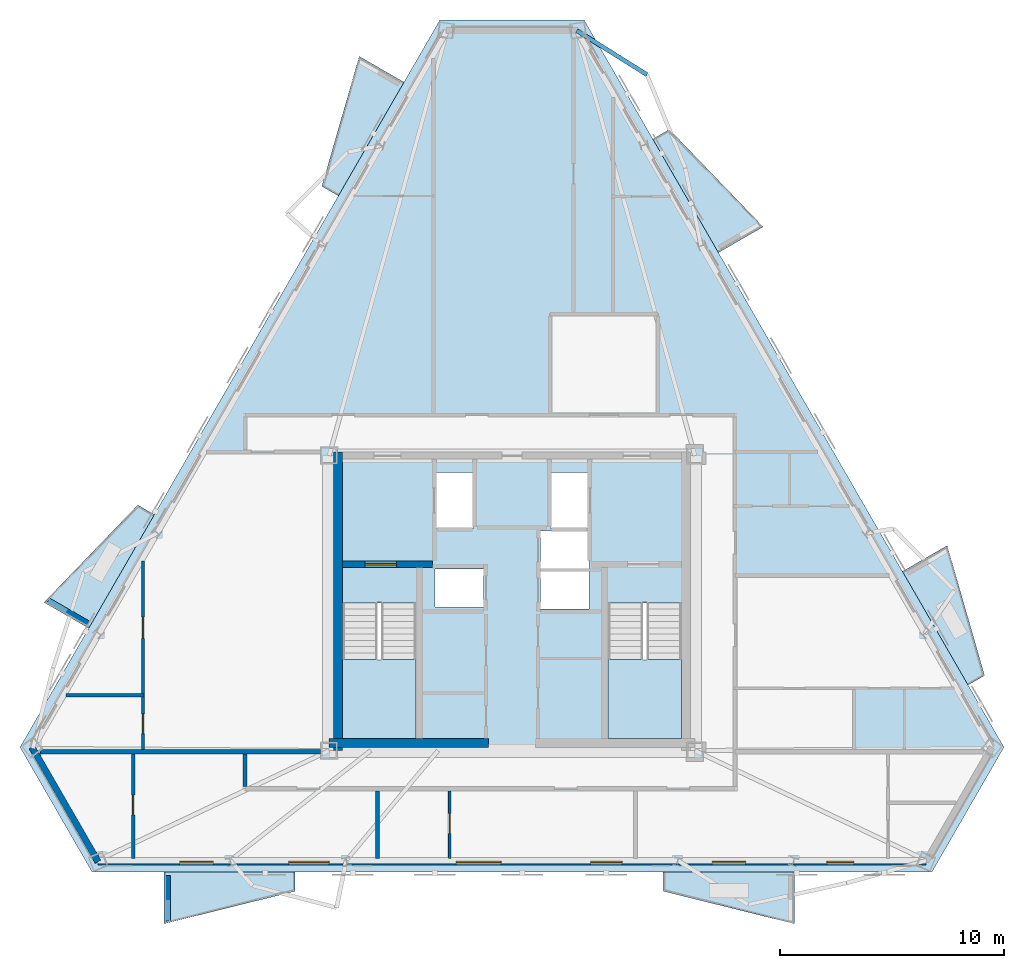
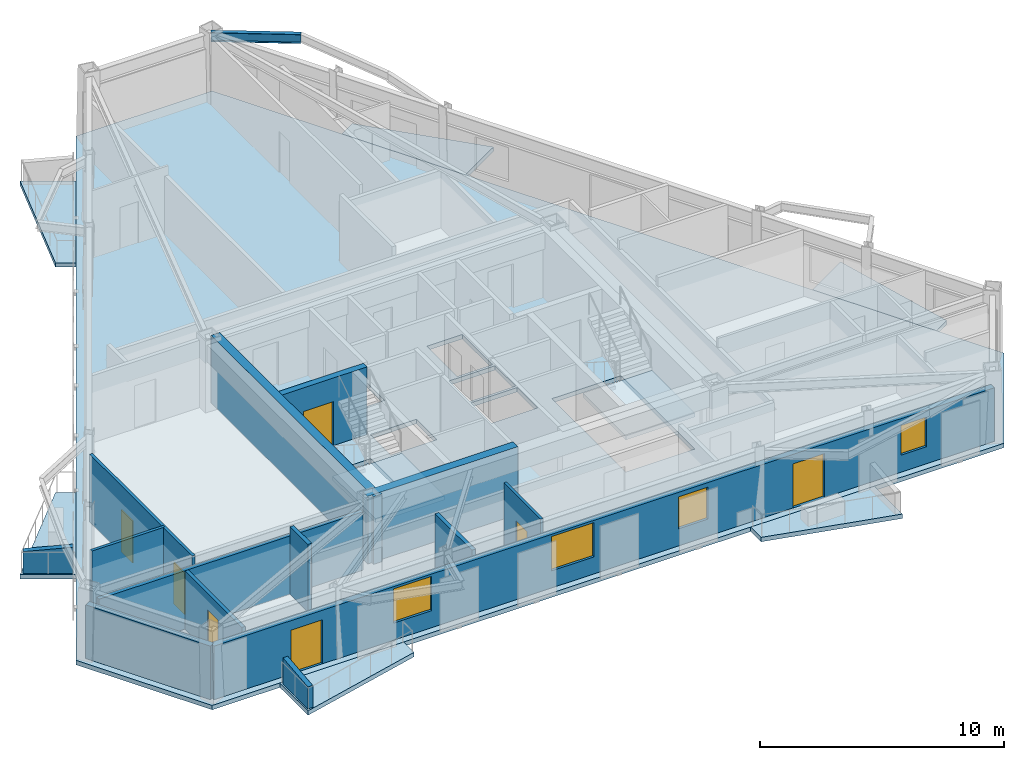
# One storey, part 2 of 9: 14 walls, 9 slabs, 7 doors, 4 windows, 1 beam, 11 openings, 2 elements without a shape of their own.
"""IFC4 building model written with IfcOpenShell, lengths in metres."""

from ifc_helpers import new_model, si_unit, direction, frame, frame_2d, origin, origin_2d, place, context, subcontext, project, spatial, polyline, rectangle, i_section, outline, extrude, material, layer, layer_set, material_profile, profile_set, type_object, element, fill, aggregate, save


model = new_model("IFC4")

# Units and contexts
model_context = context("Model", 3, precision=1e-05, world=origin(), true_north=direction((0.0, 1.0)))
body_context = subcontext(model_context, "Body", "Model", "MODEL_VIEW")
ifc_project = project(units=[si_unit("LENGTHUNIT", "METRE"), si_unit("AREAUNIT", "SQUARE_METRE"), si_unit("VOLUMEUNIT", "CUBIC_METRE"), si_unit("PLANEANGLEUNIT", "RADIAN"), si_unit("MASSUNIT", "GRAM", prefix="KILO")], contexts=[model_context])

# Site, building, storey
site_placement = place(None, origin())
site = spatial("IfcSite", under=ifc_project, at=site_placement, CompositionType="ELEMENT")
building_placement = place(site_placement, origin())
building = spatial("IfcBuilding", under=site, at=building_placement, Name="Oramaril Tower", CompositionType="ELEMENT")
storey_placement = place(building_placement, frame((0.0, 0.0, 237.89990234375)))
storey = spatial("IfcBuildingStorey", under=building, at=storey_placement, Name="L63", CompositionType="ELEMENT", Elevation=237.89990234375)

# Beam
ifc_material_1 = material(Name="Steel ASTM A572 Gr 50", Category="steel")
ifc_material_profile = material_profile(ifc_material_1, i_section(OverallWidth=0.19091796875, OverallDepth=0.45703125, WebThickness=0.009033203125, FlangeThickness=0.014404296875, at=origin_2d()), Name="W18X50")
ifc_profile_set = profile_set([ifc_material_profile], Name="Steel ASTM A572 Gr 50")
beam_type = type_object("IfcBeamType", Name="BT-BB1", PredefinedType="BEAM", material=ifc_profile_set)
beam_placement = place(storey_placement, frame((40.3818359375, 43.09765625, 3.151611328125), z_axis=(0.846798752878, -0.531913406604, 0.0), x_axis=(0.531913406604, 0.846798752878, 0.0)))
element("IfcBeam", 1, at=beam_placement, inside=storey, type_object=beam_type, Name="L63 Balcony Column-Framed Cantilever 04.2", PredefinedType="BEAM", context=body_context, shape_type="SweptSolid", body=[
    extrude(i_section(OverallWidth=0.19091796875, OverallDepth=0.45703125, WebThickness=0.009033203125, FlangeThickness=0.014404296875, at=origin_2d()), origin(), (0.0, 0.0, 1.0), 3.699951171875),
])

# Slabs
ifc_material_2 = material(Name="Concrete C40/50", Category="concrete")
ifc_layer_1 = layer(ifc_material_2, 0.199951171875)
ifc_layer_set_1 = layer_set([ifc_layer_1], Name="SLT-BAL20")
slab_type_1 = type_object("IfcSlabType", Name="SLT-BAL20", PredefinedType="FLOOR", material=ifc_layer_set_1)
slab_1_placement = place(storey_placement, frame((0.0, 0.0, -0.219970703125)))
element("IfcSlab", 2, at=slab_1_placement, inside=storey, type_object=slab_type_1, Name="L63 Cantilevered Balcony Slab L63-BAL-S1", PredefinedType="FLOOR", context=body_context, shape_type="SweptSolid", body=[
    extrude(outline(polyline([(21.984619140625, 5.584228515625), (27.83447265625, 5.584228515625), (27.83447265625, 4.732177734375), (21.984619140625, 3.2822265625), (21.984619140625, 5.584228515625)])), origin(), (0.0, 0.0, 1.0), 0.219970703125),
])
slab_2_placement = place(storey_placement, frame((0.0, 0.0, -0.219970703125)))
element("IfcSlab", 3, at=slab_2_placement, inside=storey, type_object=slab_type_1, Name="L63 Cantilevered Balcony Slab L63-BAL-NE2", PredefinedType="FLOOR", context=body_context, shape_type="SweptSolid", body=[
    extrude(outline(polyline([(46.70068359375, 33.1953125), (43.77587890625, 38.26171875), (44.513671875, 38.6875), (48.6943359375, 34.346435546875), (46.70068359375, 33.1953125)])), origin(), (0.0, 0.0, 1.0), 0.219970703125),
])
slab_3_placement = place(storey_placement, frame((0.0, 0.0, -0.219970703125)))
element("IfcSlab", 4, at=slab_3_placement, inside=storey, type_object=slab_type_1, Name="L63 Cantilevered Balcony Slab L63-BAL-NW1", PredefinedType="FLOOR", context=body_context, shape_type="SweptSolid", body=[
    extrude(outline(polyline([(32.686767578125, 40.794677734375), (29.76171875, 35.728515625), (29.02392578125, 36.154541015625), (30.693115234375, 41.94580078125), (32.686767578125, 40.794677734375)])), origin(), (0.0, 0.0, 1.0), 0.219970703125),
])
ifc_material_3 = material(Name="Concrete C50/60", Category="concrete")
ifc_layer_2 = layer(ifc_material_3, 0.219970703125)
ifc_layer_set_2 = layer_set([ifc_layer_2], Name="SLT-FLR22")
slab_type_2 = type_object("IfcSlabType", Name="SLT-FLR22", PredefinedType="FLOOR", material=ifc_layer_set_2)
slab_4_placement = place(storey_placement, frame((0.0, 0.0, -0.219970703125)))
element("IfcSlab", 5, at=slab_4_placement, inside=storey, type_object=slab_type_2, Name="L63 Structural Floor Slab", PredefinedType="FLOOR", context=body_context, shape_type="SweptSolid", body=[
    extrude(outline(polyline([(15.5693359375, 11.15087890625), (18.784423828125, 5.582275390625), (56.215576171875, 5.582275390625), (59.4306640625, 11.15087890625), (40.715087890625, 43.56689453125), (34.284912109375, 43.56689453125), (15.5693359375, 11.15087890625)]), holes=[polyline([(29.949951171875, 17.58935546875), (29.949951171875, 11.550048828125), (33.219970703125, 11.550048828125), (33.219970703125, 17.58935546875), (29.949951171875, 17.58935546875)]), polyline([(41.780029296875, 17.58935546875), (41.780029296875, 11.550048828125), (45.050048828125, 11.550048828125), (45.050048828125, 17.58935546875), (41.780029296875, 17.58935546875)]), polyline([(34.110107421875, 20.909912109375), (35.7900390625, 20.909912109375), (35.7900390625, 23.389892578125), (34.110107421875, 23.389892578125), (34.110107421875, 20.909912109375)]), polyline([(39.2099609375, 20.909912109375), (40.889892578125, 20.909912109375), (40.889892578125, 23.389892578125), (39.2099609375, 23.389892578125), (39.2099609375, 20.909912109375)]), polyline([(34.06005859375, 17.409912109375), (36.239990234375, 17.409912109375), (36.239990234375, 19.090087890625), (34.06005859375, 19.090087890625), (34.06005859375, 17.409912109375)]), polyline([(38.760009765625, 17.31005859375), (40.93994140625, 17.31005859375), (40.93994140625, 18.989990234375), (38.760009765625, 18.989990234375), (38.760009765625, 17.31005859375)]), polyline([(38.760009765625, 19.110107421875), (40.93994140625, 19.110107421875), (40.93994140625, 20.7900390625), (38.760009765625, 20.7900390625), (38.760009765625, 19.110107421875)])]), origin(), (0.0, 0.0, 1.0), 0.219970703125),
])

# Stair, slab
ifc_material_4 = material(Name="Concrete C50/60", Category="concrete")
stair_type = type_object("IfcStairType", Name="STT-DG-3600", PredefinedType="HALF_TURN_STAIR", material=ifc_material_4)
stair_1_placement = place(storey_placement, origin())
stair_1 = element("IfcStair", 6, at=stair_1_placement, inside=storey, type_object=stair_type, Name="L63 Protected PFP Exit Stair ST-1", PredefinedType="HALF_TURN_STAIR")
ifc_material_5 = material(Name="Concrete C50/60", Category="concrete")
ifc_layer_3 = layer(ifc_material_5, 0.199951171875)
ifc_layer_set_3 = layer_set([ifc_layer_3], Name="SLT-LND20")
slab_type_3 = type_object("IfcSlabType", Name="SLT-LND20", PredefinedType="LANDING", material=ifc_layer_set_3)
slab_5_placement = place(storey_placement, frame((0.0, 0.0, 1.60009765625)))
slab_5 = element("IfcSlab", 7, at=slab_5_placement, type_object=slab_type_3, Name="ST-1 landing 1", PredefinedType="LANDING", context=body_context, shape_type="SweptSolid", body=[
    extrude(outline(polyline([(29.949951171875, 15.070068359375), (29.949951171875, 11.550048828125), (33.219970703125, 11.550048828125), (33.219970703125, 15.070068359375), (29.949951171875, 15.070068359375)])), origin(), (0.0, 0.0, 1.0), 0.199951171875),
])
aggregate(stair_1, [slab_5])

stair_2_placement = place(storey_placement, origin())
stair_2 = element("IfcStair", 8, at=stair_2_placement, inside=storey, type_object=stair_type, Name="L63 Protected PFP Exit Stair ST-2", PredefinedType="HALF_TURN_STAIR")
slab_6_placement = place(storey_placement, frame((0.0, 0.0, 1.60009765625)))
slab_6 = element("IfcSlab", 9, at=slab_6_placement, type_object=slab_type_3, Name="ST-2 landing 1", PredefinedType="LANDING", context=body_context, shape_type="SweptSolid", body=[
    extrude(outline(polyline([(41.780029296875, 15.070068359375), (41.780029296875, 11.550048828125), (45.050048828125, 11.550048828125), (45.050048828125, 15.070068359375), (41.780029296875, 15.070068359375)])), origin(), (0.0, 0.0, 1.0), 0.199951171875),
])
aggregate(stair_2, [slab_6])

# Slabs
ifc_material_6 = material(Name="Concrete C40/50", Category="concrete")
ifc_layer_4 = layer(ifc_material_6, 0.18994140625)
ifc_layer_set_4 = layer_set([ifc_layer_4], Name="SLT-PLN19")
slab_type_4 = type_object("IfcSlabType", Name="SLT-PLN19", PredefinedType="FLOOR", material=ifc_layer_set_4)
slab_7_placement = place(storey_placement, frame((0.0, 0.0, -0.219970703125)))
element("IfcSlab", 10, at=slab_7_placement, inside=storey, type_object=slab_type_4, Name="L63 Tree Planter Balcony Slab L63-BAL-S2", PredefinedType="FLOOR", context=body_context, shape_type="SweptSolid", body=[
    extrude(outline(polyline([(44.240478515625, 5.584228515625), (50.090576171875, 5.584228515625), (50.090576171875, 3.2822265625), (44.240478515625, 4.732177734375), (44.240478515625, 5.584228515625)])), origin(), (0.0, 0.0, 1.0), 0.219970703125),
])
slab_8_placement = place(storey_placement, frame((0.0, 0.0, -0.219970703125)))
element("IfcSlab", 11, at=slab_8_placement, inside=storey, type_object=slab_type_4, Name="L63 Tree Planter Balcony Slab L63-BAL-NE1", PredefinedType="FLOOR", context=body_context, shape_type="SweptSolid", body=[
    extrude(outline(polyline([(57.828857421875, 13.921142578125), (54.90380859375, 18.9873046875), (56.8974609375, 20.13818359375), (58.566650390625, 14.34716796875), (57.828857421875, 13.921142578125)])), origin(), (0.0, 0.0, 1.0), 0.219970703125),
])
slab_9_placement = place(storey_placement, frame((0.0, 0.0, -0.219970703125)))
element("IfcSlab", 12, at=slab_9_placement, inside=storey, type_object=slab_type_4, Name="L63 Tree Planter Balcony Slab L63-BAL-NW2", PredefinedType="FLOOR", context=body_context, shape_type="SweptSolid", body=[
    extrude(outline(polyline([(21.55859375, 21.5205078125), (18.633544921875, 16.4541015625), (16.639892578125, 17.605224609375), (20.82080078125, 21.9462890625), (21.55859375, 21.5205078125)])), origin(), (0.0, 0.0, 1.0), 0.219970703125),
])

# Wall
ifc_material_7 = material(Name="Warm Cream Limestone", Category="masonry")
ifc_layer_5 = layer(ifc_material_7, 0.2900390625)
ifc_layer_set_5 = layer_set([ifc_layer_5], Name="WT-EXT29")
wall_type_1 = type_object("IfcWallType", Name="WT-EXT29", PredefinedType="SOLIDWALL", material=ifc_layer_set_5)
wall_1_placement = place(storey_placement, frame((16.1005859375, 11.15087890625, 0.0), z_axis=(0.0, 0.0, 1.0), x_axis=(0.499998311937, -0.866026378386, 0.0)))
element("IfcWall", 13, at=wall_1_placement, inside=storey, type_object=wall_type_1, Name="L63 Tower Limestone Facade Wall 1M", PredefinedType="SOLIDWALL", context=body_context, shape_type="SweptSolid", body=[
    extrude(rectangle(XDim=5.89892578125, YDim=0.2900390625, at=frame_2d((2.949462890625, 0.0))), origin(), (0.0, 0.0, 1.0), 2.677001953125),
])

# Wall, openings, doors, windows
wall_2_placement = place(storey_placement, frame((19.050048828125, 6.042236328125, 0.0), z_axis=(0.0, 0.0, 1.0), x_axis=(1.0, 0.0, 0.0)))
wall_2 = element("IfcWall", 14, at=wall_2_placement, inside=storey, type_object=wall_type_1, Name="L63 Tower Limestone Facade Wall 2M", PredefinedType="SOLIDWALL", context=body_context, shape_type="SweptSolid", body=[
    extrude(rectangle(XDim=36.89990234375, YDim=0.2900390625, at=frame_2d((18.449951171875, 0.0))), origin(), (0.0, 0.0, 1.0), 2.677001953125),
])
opening_1_placement = place(wall_2_placement, frame((3.639404296875, 0.0, 0.0)))
opening_1 = element("IfcOpeningElement", 15, at=opening_1_placement, cuts=wall_2, Name="Opening D-L63-BAL-S1", PredefinedType="OPENING", context=body_context, shape_type="SweptSolid", body=[
    extrude(rectangle(XDim=1.5, YDim=2.199951171875, at=frame_2d((0.75, 1.10009765625))), frame((0.0, 0.14501953125, 0.0), z_axis=(0.0, -1.0, 0.0), x_axis=(1.0, 0.0, 0.0)), (0.0, 0.0, 1.0), 0.2900390625),
])
opening_2_placement = place(wall_2_placement, frame((27.365478515625, 0.0, 0.0)))
opening_2 = element("IfcOpeningElement", 16, at=opening_2_placement, cuts=wall_2, Name="Opening D-L63-BAL-S2", PredefinedType="OPENING", context=body_context, shape_type="SweptSolid", body=[
    extrude(rectangle(XDim=1.5, YDim=2.199951171875, at=frame_2d((0.75, 1.10009765625))), frame((0.0, 0.14501953125, 0.0), z_axis=(0.0, -1.0, 0.0), x_axis=(1.0, 0.0, 0.0)), (0.0, 0.0, 1.0), 0.2900390625),
])
opening_3_placement = place(wall_2_placement, frame((8.4951171875, 0.0, 0.85009765625)))
opening_3 = element("IfcOpeningElement", 17, at=opening_3_placement, cuts=wall_2, Name="Opening WN-06", PredefinedType="OPENING", context=body_context, shape_type="SweptSolid", body=[
    extrude(rectangle(XDim=1.800048828125, YDim=1.717041015625, at=frame_2d((0.89990234375, 0.8583984375))), frame((0.0, 0.14501953125, 0.0), z_axis=(0.0, -1.0, 0.0), x_axis=(1.0, 0.0, 0.0)), (0.0, 0.0, 1.0), 0.2900390625),
])
opening_4_placement = place(wall_2_placement, frame((15.9638671875, 0.0, 0.85009765625)))
opening_4 = element("IfcOpeningElement", 18, at=opening_4_placement, cuts=wall_2, Name="Opening WN-05", PredefinedType="OPENING", context=body_context, shape_type="SweptSolid", body=[
    extrude(rectangle(XDim=2.0, YDim=1.717041015625, at=frame_2d((1.0, 0.8583984375))), frame((0.0, 0.14501953125, 0.0), z_axis=(0.0, -1.0, 0.0), x_axis=(1.0, 0.0, 0.0)), (0.0, 0.0, 1.0), 0.2900390625),
])
opening_5_placement = place(wall_2_placement, frame((21.9560546875, 0.0, 0.85009765625)))
opening_5 = element("IfcOpeningElement", 19, at=opening_5_placement, cuts=wall_2, Name="Opening WN-08", PredefinedType="OPENING", context=body_context, shape_type="SweptSolid", body=[
    extrude(rectangle(XDim=1.39990234375, YDim=1.60009765625, at=frame_2d((0.699951171875, 0.800048828125))), frame((0.0, 0.14501953125, 0.0), z_axis=(0.0, -1.0, 0.0), x_axis=(1.0, 0.0, 0.0)), (0.0, 0.0, 1.0), 0.2900390625),
])
opening_6_placement = place(wall_2_placement, frame((32.48681640625, 0.0, 0.85009765625)))
opening_6 = element("IfcOpeningElement", 20, at=opening_6_placement, cuts=wall_2, Name="Opening WN-09", PredefinedType="OPENING", context=body_context, shape_type="SweptSolid", body=[
    extrude(rectangle(XDim=1.199951171875, YDim=1.47998046875, at=frame_2d((0.60009765625, 0.739990234375))), frame((0.0, 0.14501953125, 0.0), z_axis=(0.0, -1.0, 0.0), x_axis=(1.0, 0.0, 0.0)), (0.0, 0.0, 1.0), 0.2900390625),
])
ifc_material_8 = material(Name="Anodised Aluminium 6063-T6", Category="aluminium")
door_type_1 = type_object("IfcDoorType", Name="DT-BAL", OperationType="NOTDEFINED", PredefinedType="DOOR", material=ifc_material_8)
door_1_placement = place(opening_1_placement, origin())
door_1 = element("IfcDoor", 21, at=door_1_placement, inside=storey, type_object=door_type_1, Name="L63 Balcony Glazed Door L63-BAL-S1", OperationType="SINGLE_SWING_RIGHT", OverallHeight=2.199951171875, OverallWidth=1.5, PredefinedType="DOOR", context=body_context, shape_type="SweptSolid", body=[
    extrude(rectangle(XDim=1.5, YDim=2.199951171875, at=frame_2d((0.75, 1.10009765625))), frame((0.0, 0.02490234375, 0.0), z_axis=(0.0, -1.0, 0.0), x_axis=(1.0, 0.0, 0.0)), (0.0, 0.0, 1.0), 0.050048828125),
])
fill(opening_1, door_1)
door_2_placement = place(opening_2_placement, origin())
door_2 = element("IfcDoor", 22, at=door_2_placement, inside=storey, type_object=door_type_1, Name="L63 Balcony Glazed Door L63-BAL-S2", OperationType="SINGLE_SWING_LEFT", OverallHeight=2.199951171875, OverallWidth=1.5, PredefinedType="DOOR", context=body_context, shape_type="SweptSolid", body=[
    extrude(rectangle(XDim=1.5, YDim=2.199951171875, at=frame_2d((0.75, 1.10009765625))), frame((0.0, 0.02490234375, 0.0), z_axis=(0.0, -1.0, 0.0), x_axis=(1.0, 0.0, 0.0)), (0.0, 0.0, 1.0), 0.050048828125),
])
fill(opening_2, door_2)
ifc_material_9 = material(Name="Coastal Low-E Insulated Glass", Category="glass")
window_type_1 = type_object("IfcWindowType", Name="WNT-05", PartitioningType="SINGLE_PANEL", PredefinedType="WINDOW", material=ifc_material_9)
window_1_placement = place(opening_4_placement, origin())
window_1 = element("IfcWindow", 23, at=window_1_placement, inside=storey, type_object=window_type_1, Name="L63 Chicago Bay Window WN-05", OverallHeight=1.717041015625, OverallWidth=2.0, PartitioningType="SINGLE_PANEL", PredefinedType="WINDOW", context=body_context, shape_type="SweptSolid", body=[
    extrude(rectangle(XDim=2.0, YDim=1.717041015625, at=frame_2d((1.0, 0.8583984375))), frame((0.0, 0.030029296875, 0.0), z_axis=(0.0, -1.0, 0.0), x_axis=(1.0, 0.0, 0.0)), (0.0, 0.0, 1.0), 0.06005859375),
])
fill(opening_4, window_1)
ifc_material_10 = material(Name="Coastal Low-E Insulated Glass", Category="glass")
window_type_2 = type_object("IfcWindowType", Name="WNT-06", PartitioningType="SINGLE_PANEL", PredefinedType="WINDOW", material=ifc_material_10)
window_2_placement = place(opening_3_placement, origin())
window_2 = element("IfcWindow", 24, at=window_2_placement, inside=storey, type_object=window_type_2, Name="L63 Chicago Bay Window WN-06", OverallHeight=1.717041015625, OverallWidth=1.800048828125, PartitioningType="SINGLE_PANEL", PredefinedType="WINDOW", context=body_context, shape_type="SweptSolid", body=[
    extrude(rectangle(XDim=1.800048828125, YDim=1.717041015625, at=frame_2d((0.89990234375, 0.8583984375))), frame((0.0, 0.030029296875, 0.0), z_axis=(0.0, -1.0, 0.0), x_axis=(1.0, 0.0, 0.0)), (0.0, 0.0, 1.0), 0.06005859375),
])
fill(opening_3, window_2)
ifc_material_11 = material(Name="Coastal Low-E Insulated Glass", Category="glass")
window_type_3 = type_object("IfcWindowType", Name="WNT-08", PartitioningType="SINGLE_PANEL", PredefinedType="WINDOW", material=ifc_material_11)
window_3_placement = place(opening_5_placement, origin())
window_3 = element("IfcWindow", 25, at=window_3_placement, inside=storey, type_object=window_type_3, Name="L63 Chicago Bay Window WN-08", OverallHeight=1.60009765625, OverallWidth=1.39990234375, PartitioningType="SINGLE_PANEL", PredefinedType="WINDOW", context=body_context, shape_type="SweptSolid", body=[
    extrude(rectangle(XDim=1.39990234375, YDim=1.60009765625, at=frame_2d((0.699951171875, 0.800048828125))), frame((0.0, 0.030029296875, 0.0), z_axis=(0.0, -1.0, 0.0), x_axis=(1.0, 0.0, 0.0)), (0.0, 0.0, 1.0), 0.06005859375),
])
fill(opening_5, window_3)
ifc_material_12 = material(Name="Coastal Low-E Insulated Glass", Category="glass")
window_type_4 = type_object("IfcWindowType", Name="WNT-09", PartitioningType="SINGLE_PANEL", PredefinedType="WINDOW", material=ifc_material_12)
window_4_placement = place(opening_6_placement, origin())
window_4 = element("IfcWindow", 26, at=window_4_placement, inside=storey, type_object=window_type_4, Name="L63 Chicago Bay Window WN-09", OverallHeight=1.47998046875, OverallWidth=1.199951171875, PartitioningType="SINGLE_PANEL", PredefinedType="WINDOW", context=body_context, shape_type="SweptSolid", body=[
    extrude(rectangle(XDim=1.199951171875, YDim=1.47998046875, at=frame_2d((0.60009765625, 0.739990234375))), frame((0.0, 0.030029296875, 0.0), z_axis=(0.0, -1.0, 0.0), x_axis=(1.0, 0.0, 0.0)), (0.0, 0.0, 1.0), 0.06005859375),
])
fill(opening_6, window_4)

# Walls
ifc_material_13 = material(Name="Concrete C40/50", Category="concrete")
ifc_layer_6 = layer(ifc_material_13, 0.22998046875)
ifc_layer_set_6 = layer_set([ifc_layer_6], Name="WT-PRP23")
wall_type_2 = type_object("IfcWallType", Name="WT-PRP23", PredefinedType="PARAPET", material=ifc_layer_set_6)
for number, where, z_axis, x_axis, name in (
    (27, (22.16455078125, 5.444091796875, 0.0), (0.0, 0.0, 1.0), (0.0, -1.0, 0.0), "L63 Trapezoidal Balcony Frame Cheek L63-BAL-S1-L"),
    (28, (18.602294921875, 16.68017578125, 0.0), (0.0, 0.0, 1.0), (-0.866012356593, 0.500022597718, 0.0), "L63 Trapezoidal Balcony Frame Cheek L63-BAL-NW2-R"),
):
    element("IfcWall", number, at=place(storey_placement, frame(where, z_axis=z_axis, x_axis=x_axis)), inside=storey, type_object=wall_type_2, Name=name, PredefinedType="PARAPET", context=body_context, shape_type="SweptSolid", body=[
        extrude(outline(polyline([(0.0, 0.0), (2.0419921875, 0.0), (2.0419921875, 1.10009765625), (0.0, 1.320068359375), (0.0, 0.0)])), frame((0.0, 0.114990234375, 0.0), z_axis=(0.0, -1.0, 0.0), x_axis=(1.0, 0.0, 0.0)), (0.0, 0.0, 1.0), 0.22998046875),
    ])

# Wall, opening, door
ifc_material_14 = material(Name="Acoustic Gypsum Board Partition")
ifc_layer_7 = layer(ifc_material_14, 0.1201171875)
ifc_layer_set_7 = layer_set([ifc_layer_7], Name="WT-PT12")
wall_type_3 = type_object("IfcWallType", Name="WT-PT12", PredefinedType="PARTITIONING", material=ifc_layer_set_7)
wall_3_placement = place(storey_placement, frame((34.719970703125, 6.191162109375, 0.0), z_axis=(0.0, 0.0, 1.0), x_axis=(0.0, 1.0, 0.0)))
wall_3 = element("IfcWall", 29, at=wall_3_placement, inside=storey, type_object=wall_type_3, Name="L63 Interior Partition PT-12", PredefinedType="PARTITIONING", context=body_context, shape_type="SweptSolid", body=[
    extrude(rectangle(XDim=3.014892578125, YDim=0.1201171875, at=frame_2d((1.50732421875, 0.0))), origin(), (0.0, 0.0, 1.0), 3.380126953125),
])
opening_7_placement = place(wall_3_placement, frame((1.114990234375, 0.0, 0.0)))
opening_7 = element("IfcOpeningElement", 30, at=opening_7_placement, cuts=wall_3, Name="Opening D-L63-19", PredefinedType="OPENING", context=body_context, shape_type="SweptSolid", body=[
    extrude(rectangle(XDim=0.8798828125, YDim=2.080078125, at=frame_2d((0.43994140625, 1.0400390625))), frame((0.0, 0.06005859375, 0.0), z_axis=(0.0, -1.0, 0.0), x_axis=(1.0, 0.0, 0.0)), (0.0, 0.0, 1.0), 0.1201171875),
])
ifc_material_15 = material(Name="FSC Brazilian Freijo Hardwood", Category="wood")
door_type_2 = type_object("IfcDoorType", Name="DT-BATH", OperationType="NOTDEFINED", PredefinedType="DOOR", material=ifc_material_15)
door_3_placement = place(opening_7_placement, origin())
door_3 = element("IfcDoor", 31, at=door_3_placement, inside=storey, type_object=door_type_2, Name="L63 Flat L63-U2 Bathroom Door D-L63-19", OperationType="SINGLE_SWING_LEFT", OverallHeight=2.080078125, OverallWidth=0.8798828125, PredefinedType="DOOR", context=body_context, shape_type="SweptSolid", body=[
    extrude(rectangle(XDim=0.8798828125, YDim=2.080078125, at=frame_2d((0.43994140625, 1.0400390625))), frame((0.0, 0.02490234375, 0.0), z_axis=(0.0, -1.0, 0.0), x_axis=(1.0, 0.0, 0.0)), (0.0, 0.0, 1.0), 0.050048828125),
])
fill(opening_7, door_3)

# Wall
ifc_material_16 = material(Name="Acoustic Gypsum Board Partition")
ifc_layer_8 = layer(ifc_material_16, 0.139892578125)
ifc_layer_set_8 = layer_set([ifc_layer_8], Name="WT-PT14")
wall_type_4 = type_object("IfcWallType", Name="WT-PT14", PredefinedType="PARTITIONING", material=ifc_layer_set_8)
wall_4_placement = place(storey_placement, frame((17.611572265625, 13.469970703125, 0.0), z_axis=(0.0, 0.0, 1.0), x_axis=(1.0, 0.0, 0.0)))
element("IfcWall", 32, at=wall_4_placement, inside=storey, type_object=wall_type_4, Name="L63 Interior Partition PT-14", PredefinedType="PARTITIONING", context=body_context, shape_type="SweptSolid", body=[
    extrude(rectangle(XDim=3.452392578125, YDim=0.139892578125, at=frame_2d((1.72607421875, 0.0))), origin(), (0.0, 0.0, 1.0), 3.380126953125),
])

# Wall, openings, doors
wall_5_placement = place(storey_placement, frame((21.06005859375, 11.0439453125, 0.0), z_axis=(0.0, 0.0, 1.0), x_axis=(0.0, 1.0, 0.0)))
wall_5 = element("IfcWall", 33, at=wall_5_placement, inside=storey, type_object=wall_type_4, Name="L63 Interior Partition PT-14", PredefinedType="PARTITIONING", context=body_context, shape_type="SweptSolid", body=[
    extrude(rectangle(XDim=8.398681640625, YDim=0.139892578125, at=frame_2d((4.19921875, 0.0))), origin(), (0.0, 0.0, 1.0), 3.380126953125),
])
opening_8_placement = place(wall_5_placement, frame((0.7109375, 0.0, 0.0)))
opening_8 = element("IfcOpeningElement", 34, at=opening_8_placement, cuts=wall_5, Name="Opening D-L63-17", PredefinedType="OPENING", context=body_context, shape_type="SweptSolid", body=[
    extrude(rectangle(XDim=0.8798828125, YDim=2.080078125, at=frame_2d((0.43994140625, 1.0400390625))), frame((0.0, 0.06982421875, 0.0), z_axis=(0.0, -1.0, 0.0), x_axis=(1.0, 0.0, 0.0)), (0.0, 0.0, 1.0), 0.139892578125),
])
opening_9_placement = place(wall_5_placement, frame((4.954833984375, 0.0, 0.0)))
opening_9 = element("IfcOpeningElement", 35, at=opening_9_placement, cuts=wall_5, Name="Opening D-L63-18", PredefinedType="OPENING", context=body_context, shape_type="SweptSolid", body=[
    extrude(rectangle(XDim=0.949951171875, YDim=2.10009765625, at=frame_2d((0.47509765625, 1.050048828125))), frame((0.0, 0.06982421875, 0.0), z_axis=(0.0, -1.0, 0.0), x_axis=(1.0, 0.0, 0.0)), (0.0, 0.0, 1.0), 0.139892578125),
])
door_4_placement = place(opening_8_placement, origin())
door_4 = element("IfcDoor", 36, at=door_4_placement, inside=storey, type_object=door_type_2, Name="L63 Flat L63-U4 Bathroom Door D-L63-17", OperationType="SINGLE_SWING_LEFT", OverallHeight=2.080078125, OverallWidth=0.8798828125, PredefinedType="DOOR", context=body_context, shape_type="SweptSolid", body=[
    extrude(rectangle(XDim=0.8798828125, YDim=2.080078125, at=frame_2d((0.43994140625, 1.0400390625))), frame((0.0, 0.02490234375, 0.0), z_axis=(0.0, -1.0, 0.0), x_axis=(1.0, 0.0, 0.0)), (0.0, 0.0, 1.0), 0.050048828125),
])
fill(opening_8, door_4)
ifc_material_17 = material(Name="FSC Brazilian Freijo Hardwood", Category="wood")
door_type_3 = type_object("IfcDoorType", Name="DT-STDY", OperationType="NOTDEFINED", PredefinedType="DOOR", material=ifc_material_17)
door_5_placement = place(opening_9_placement, origin())
door_5 = element("IfcDoor", 37, at=door_5_placement, inside=storey, type_object=door_type_3, Name="L63 Flat L63-U4 Kitchen Door D-L63-18", OperationType="SINGLE_SWING_RIGHT", OverallHeight=2.10009765625, OverallWidth=0.949951171875, PredefinedType="DOOR", context=body_context, shape_type="SweptSolid", body=[
    extrude(rectangle(XDim=0.949951171875, YDim=2.10009765625, at=frame_2d((0.47509765625, 1.050048828125))), frame((0.0, 0.02490234375, 0.0), z_axis=(0.0, -1.0, 0.0), x_axis=(1.0, 0.0, 0.0)), (0.0, 0.0, 1.0), 0.050048828125),
])
fill(opening_9, door_5)

# Wall, opening, door
ifc_material_18 = material(Name="Acoustic Gypsum Board Partition")
ifc_layer_9 = layer(ifc_material_18, 0.159912109375)
ifc_layer_set_9 = layer_set([ifc_layer_9], Name="WT-PT16")
wall_type_5 = type_object("IfcWallType", Name="WT-PT16", PredefinedType="PARTITIONING", material=ifc_layer_set_9)
wall_6_placement = place(storey_placement, frame((20.6201171875, 6.191162109375, 0.0), z_axis=(0.0, 0.0, 1.0), x_axis=(0.0, 1.0, 0.0)))
wall_6 = element("IfcWall", 38, at=wall_6_placement, inside=storey, type_object=wall_type_5, Name="L63 Interior Partition PT-16", PredefinedType="PARTITIONING", context=body_context, shape_type="SweptSolid", body=[
    extrude(rectangle(XDim=4.664794921875, YDim=0.159912109375, at=frame_2d((2.33251953125, 0.0))), origin(), (0.0, 0.0, 1.0), 2.9130859375),
])
opening_10_placement = place(wall_6_placement, frame((1.93994140625, 0.0, 0.0)))
opening_10 = element("IfcOpeningElement", 39, at=opening_10_placement, cuts=wall_6, Name="Opening D-L63-16", PredefinedType="OPENING", context=body_context, shape_type="SweptSolid", body=[
    extrude(rectangle(XDim=0.8798828125, YDim=2.080078125, at=frame_2d((0.43994140625, 1.0400390625))), frame((0.0, 0.080078125, 0.0), z_axis=(0.0, -1.0, 0.0), x_axis=(1.0, 0.0, 0.0)), (0.0, 0.0, 1.0), 0.159912109375),
])
door_6_placement = place(opening_10_placement, origin())
door_6 = element("IfcDoor", 40, at=door_6_placement, inside=storey, type_object=door_type_2, Name="L63 Flat L63-U1 Bathroom Door D-L63-16", OperationType="SINGLE_SWING_RIGHT", OverallHeight=2.080078125, OverallWidth=0.8798828125, PredefinedType="DOOR", context=body_context, shape_type="SweptSolid", body=[
    extrude(rectangle(XDim=0.8798828125, YDim=2.080078125, at=frame_2d((0.43994140625, 1.0400390625))), frame((0.0, 0.02490234375, 0.0), z_axis=(0.0, -1.0, 0.0), x_axis=(1.0, 0.0, 0.0)), (0.0, 0.0, 1.0), 0.050048828125),
])
fill(opening_10, door_6)

# Walls
ifc_material_19 = material(Name="Autoclaved Cellular Concrete Block", Category="concrete")
ifc_layer_10 = layer(ifc_material_19, 0.179931640625)
ifc_layer_set_10 = layer_set([ifc_layer_10], Name="WT-PT18")
wall_type_6 = type_object("IfcWallType", Name="WT-PT18", PredefinedType="PARTITIONING", material=ifc_layer_set_10)
wall_7_placement = place(storey_placement, frame((16.486572265625, 10.949951171875, 0.0), z_axis=(0.0, 0.0, 1.0), x_axis=(1.0, 0.0, 0.0)))
element("IfcWall", 41, at=wall_7_placement, inside=storey, type_object=wall_type_6, Name="L63 Interior Partition PT-18", PredefinedType="PARTITIONING", context=body_context, shape_type="SweptSolid", body=[
    extrude(rectangle(XDim=12.473388671875, YDim=0.179931640625, at=frame_2d((6.23681640625, 0.0))), origin(), (0.0, 0.0, 1.0), 2.9130859375),
])
wall_8_placement = place(storey_placement, frame((25.60009765625, 9.39404296875, 0.0), z_axis=(0.0, 0.0, 1.0), x_axis=(0.0, 1.0, 0.0)))
element("IfcWall", 42, at=wall_8_placement, inside=storey, type_object=wall_type_6, Name="L63 Interior Partition PT-18", PredefinedType="PARTITIONING", context=body_context, shape_type="SweptSolid", body=[
    extrude(rectangle(XDim=1.4619140625, YDim=0.179931640625, at=frame_2d((0.73095703125, 0.0))), origin(), (0.0, 0.0, 1.0), 3.380126953125),
])
wall_9_placement = place(storey_placement, frame((31.5, 6.191162109375, 0.0), z_axis=(0.0, 0.0, 1.0), x_axis=(0.0, 1.0, 0.0)))
element("IfcWall", 43, at=wall_9_placement, inside=storey, type_object=wall_type_6, Name="L63 Interior Partition PT-18", PredefinedType="PARTITIONING", context=body_context, shape_type="SweptSolid", body=[
    extrude(rectangle(XDim=3.014892578125, YDim=0.179931640625, at=frame_2d((1.50732421875, 0.0))), origin(), (0.0, 0.0, 1.0), 2.966064453125),
])

# Wall, opening, door
ifc_material_20 = material(Name="Concrete C50/60", Category="concrete")
ifc_layer_11 = layer(ifc_material_20, 0.300048828125)
ifc_layer_set_11 = layer_set([ifc_layer_11], Name="WT-SH30")
wall_type_7 = type_object("IfcWallType", Name="WT-SH30", PredefinedType="SHEAR", material=ifc_layer_set_11)
wall_10_placement = place(storey_placement, frame((29.93994140625, 19.31005859375, 0.0), z_axis=(0.0, 0.0, 1.0), x_axis=(1.0, 0.0, 0.0)))
wall_10 = element("IfcWall", 44, at=wall_10_placement, inside=storey, type_object=wall_type_7, Name="L63 Core Shear Wall CW-ST1N", PredefinedType="SHEAR", context=body_context, shape_type="SweptSolid", body=[
    extrude(rectangle(XDim=4.010009765625, YDim=0.300048828125, at=frame_2d((2.0048828125, 0.0))), origin(), (0.0, 0.0, 1.0), 3.380126953125),
])
opening_11_placement = place(wall_10_placement, frame((1.010009765625, 0.0, 0.0)))
opening_11 = element("IfcOpeningElement", 45, at=opening_11_placement, cuts=wall_10, Name="Opening D-L63-ST1", PredefinedType="OPENING", context=body_context, shape_type="SweptSolid", body=[
    extrude(rectangle(XDim=1.39990234375, YDim=2.199951171875, at=frame_2d((0.699951171875, 1.10009765625))), frame((0.0, 0.14990234375, 0.0), z_axis=(0.0, -1.0, 0.0), x_axis=(1.0, 0.0, 0.0)), (0.0, 0.0, 1.0), 0.300048828125),
])
ifc_material_21 = material(Name="Painted Galvanised Steel", Category="steel")
door_type_4 = type_object("IfcDoorType", Name="DT-ST", OperationType="NOTDEFINED", PredefinedType="DOOR", material=ifc_material_21)
door_7_placement = place(opening_11_placement, origin())
door_7 = element("IfcDoor", 46, at=door_7_placement, inside=storey, type_object=door_type_4, Name="L63 Protected Stair ST-1 Fire Door", OperationType="SINGLE_SWING_LEFT", OverallHeight=2.199951171875, OverallWidth=1.39990234375, PredefinedType="DOOR", context=body_context, shape_type="SweptSolid", body=[
    extrude(rectangle(XDim=1.39990234375, YDim=2.199951171875, at=frame_2d((0.699951171875, 1.10009765625))), frame((0.0, 0.02490234375, 0.0), z_axis=(0.0, -1.0, 0.0), x_axis=(1.0, 0.0, 0.0)), (0.0, 0.0, 1.0), 0.050048828125),
])
fill(opening_11, door_7)

# Walls
ifc_material_22 = material(Name="Concrete C50/60", Category="concrete")
ifc_layer_12 = layer(ifc_material_22, 0.39990234375)
ifc_layer_set_12 = layer_set([ifc_layer_12], Name="WT-SH40")
wall_type_8 = type_object("IfcWallType", Name="WT-SH40", PredefinedType="SHEAR", material=ifc_layer_set_12)
wall_11_placement = place(storey_placement, frame((29.739990234375, 11.0, 0.0), z_axis=(0.0, 0.0, 1.0), x_axis=(0.0, 1.0, 0.0)))
element("IfcWall", 47, at=wall_11_placement, inside=storey, type_object=wall_type_8, Name="L63 Core Shear Wall CW-W", PredefinedType="SHEAR", context=body_context, shape_type="SweptSolid", body=[
    extrude(rectangle(XDim=13.300048828125, YDim=0.39990234375, at=frame_2d((6.64990234375, 0.0))), origin(), (0.0, 0.0, 1.0), 3.380126953125),
])
wall_12_placement = place(storey_placement, frame((29.35009765625, 11.340087890625, 0.0), z_axis=(0.0, 0.0, 1.0), x_axis=(1.0, 0.0, 0.0)))
element("IfcWall", 48, at=wall_12_placement, inside=storey, type_object=wall_type_8, Name="L63 Core Shear Wall CW-SW", PredefinedType="SHEAR", context=body_context, shape_type="SweptSolid", body=[
    extrude(rectangle(XDim=7.099853515625, YDim=0.39990234375, at=frame_2d((3.5498046875, 0.0))), origin(), (0.0, 0.0, 1.0), 3.380126953125),
])

save(model, "model.ifc")
